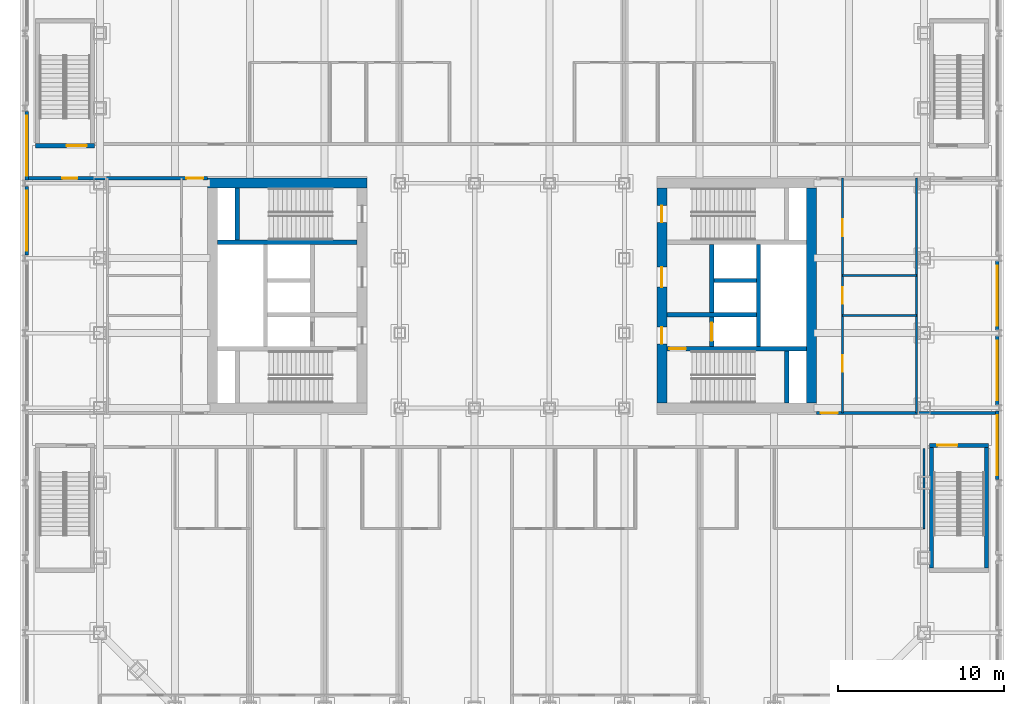
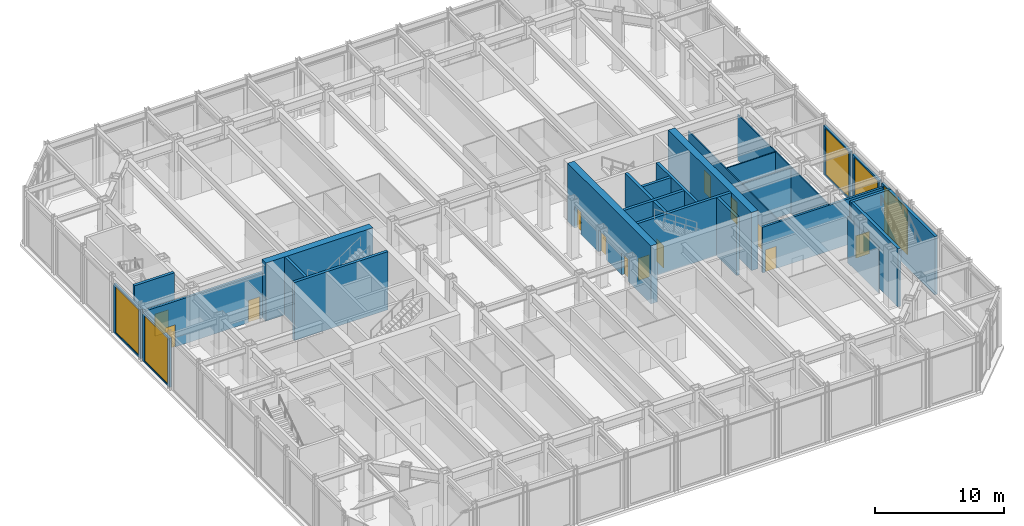
# One storey, part 13 of 19: 27 walls, 13 doors, 5 windows, 18 openings.
"""IFC4 building model written with IfcOpenShell, lengths in metres."""

import ifcopenshell
import ifcopenshell.guid

model = None  # the IFC model being written
_history = None  # IfcOwnerHistory: only IFC2X3 demands one
_inside = {}  # id of a spatial element -> (the spatial element, [elements in it])
_under = {}  # id of a project, library or spatial element -> (it, [spatial elements below it])
_declared = {}  # id of a project -> (the project, [libraries it declares])
_typed = {}  # id of a type object -> (the type object, [elements of that type])
_made_of = {}  # id of a material, layer set ... -> (it, [elements and type objects made of it])


def new_model(schema):
    """Start an empty IFC model of exactly this schema.

    Asked for "IFC4X3", IfcOpenShell would pick the latest addendum, in which some entities
    have other attributes; the version numbers below select the first issue.
    IFC2X3 requires an IfcOwnerHistory on every rooted entity: one is made here for all.
    """
    global model, _history
    if schema == "IFC4X3":
        model = ifcopenshell.file(schema_version=(4, 3, 0, 0))
    else:
        model = ifcopenshell.file(schema=schema)
    _inside.clear()
    _under.clear()
    _declared.clear()
    _typed.clear()
    _made_of.clear()
    _history = None
    if model.schema == "IFC2X3":
        org = make("IfcOrganization", Name="unknown")
        user = make(
            "IfcPersonAndOrganization",
            ThePerson=make("IfcPerson", FamilyName="unknown"),
            TheOrganization=org,
        )
        app = make(
            "IfcApplication",
            ApplicationDeveloper=org,
            Version="unknown",
            ApplicationFullName="unknown",
            ApplicationIdentifier="unknown",
        )
        _history = make(
            "IfcOwnerHistory",
            OwningUser=user,
            OwningApplication=app,
            ChangeAction="ADDED",
            CreationDate=0,
        )
    return model


def make(cls, **values):
    """One entity of the class cls with the attributes given. An attribute that is None is left unset."""
    return model.create_entity(
        cls, **{name: value for name, value in values.items() if value is not None}
    )


def rooted(cls, **values):
    """An entity with a GlobalId (a new one), such as an element, a storey or a relation."""
    return make(cls, GlobalId=ifcopenshell.guid.new(), OwnerHistory=_history, **values)


def si_unit(unit_type, name, prefix=None):
    """IfcSIUnit, for example si_unit("LENGTHUNIT", "METRE", prefix="MILLI")."""
    return make("IfcSIUnit", UnitType=unit_type, Prefix=prefix, Name=name)


def assignment(units):
    """IfcUnitAssignment: the units of a project."""
    return None if units is None else make("IfcUnitAssignment", Units=units)


def point(xyz):
    """IfcCartesianPoint."""
    return None if xyz is None else make("IfcCartesianPoint", Coordinates=xyz)


def direction(xyz):
    """IfcDirection."""
    return None if xyz is None else make("IfcDirection", DirectionRatios=xyz)


def frame(location, z_axis=None, x_axis=None):
    """IfcAxis2Placement3D, a coordinate frame: its origin and axes. An axis left out is left unset."""
    return make(
        "IfcAxis2Placement3D",
        Location=point(location),
        Axis=direction(z_axis),
        RefDirection=direction(x_axis),
    )


def frame_2d(location, x_axis=None):
    """IfcAxis2Placement2D, a coordinate frame in the plane: its origin and x axis."""
    return make(
        "IfcAxis2Placement2D", Location=point(location), RefDirection=direction(x_axis)
    )


def origin():
    """The frame at (0, 0, 0) with its axes left unset."""
    return frame((0.0, 0.0, 0.0))


def place(relative_to, where):
    """IfcLocalPlacement: puts the frame where relative to a parent placement (None: the world)."""
    return make(
        "IfcLocalPlacement", PlacementRelTo=relative_to, RelativePlacement=where
    )


def context(
    kind, dimensions, precision=None, world=None, true_north=None, identifier=None
):
    """IfcGeometricRepresentationContext, for example the 3D "Model" context."""
    return make(
        "IfcGeometricRepresentationContext",
        ContextIdentifier=identifier,
        ContextType=kind,
        CoordinateSpaceDimension=dimensions,
        Precision=precision,
        WorldCoordinateSystem=world,
        TrueNorth=true_north,
    )


def subcontext(parent, identifier, kind, view, scale=None):
    """IfcGeometricRepresentationSubContext, for example "Body" below "Model"."""
    return make(
        "IfcGeometricRepresentationSubContext",
        ContextIdentifier=identifier,
        ContextType=kind,
        ParentContext=parent,
        TargetScale=scale,
        TargetView=view,
    )


def project(units=None, contexts=None):
    """IfcProject with its units and contexts."""
    return rooted(
        "IfcProject",
        Name="project",
        RepresentationContexts=contexts,
        UnitsInContext=assignment(units),
    )


def spatial(cls, under=None, at=None, **own):
    """A site, building, storey or space (cls), placed at a placement, below another one or the project."""
    s = rooted(cls, ObjectPlacement=at, **own)
    if under is not None:
        _under.setdefault(under.id(), (under, []))[1].append(s)
    return s


def profile(cls, at=None, kind="AREA", **sizes):
    """A parametric profile (cls). Its sizes go by their IFC names, for example OverallWidth=200.0."""
    return make(cls, ProfileType=kind, Position=at, **sizes)


def rectangle(**sizes):
    """IfcRectangleProfileDef."""
    return profile("IfcRectangleProfileDef", **sizes)


def extrude(swept, where, along, depth):
    """IfcExtrudedAreaSolid: the profile swept, set in the frame where, extruded along a direction by depth."""
    return make(
        "IfcExtrudedAreaSolid",
        SweptArea=swept,
        Position=where,
        ExtrudedDirection=direction(along),
        Depth=depth,
    )


def shape(context_of_items, identifier, shape_type, items):
    """IfcShapeRepresentation: the items that make up one representation, for example the "Body"."""
    return make(
        "IfcShapeRepresentation",
        ContextOfItems=context_of_items,
        RepresentationIdentifier=identifier,
        RepresentationType=shape_type,
        Items=items,
    )


def material(Name=None, Category=None):
    """IfcMaterial."""
    return make("IfcMaterial", Name=Name, Category=Category)


def layer(
    of_material, thickness, ventilated=None, Name=None, Category=None, Priority=None
):
    """IfcMaterialLayer: one layer of a wall or slab, of a material (None: an air gap)."""
    return make(
        "IfcMaterialLayer",
        Material=of_material,
        LayerThickness=thickness,
        IsVentilated=ventilated,
        Name=Name,
        Category=Category,
        Priority=Priority,
    )


def layer_set(layers, Name=None):
    """IfcMaterialLayerSet."""
    return make("IfcMaterialLayerSet", MaterialLayers=layers, LayerSetName=Name)


def made_of(thing, what):
    """Note that an element or type object is made of a material, layer set ...; save() writes the relation."""
    if what is not None:
        _made_of.setdefault(what.id(), (what, []))[1].append(thing)
    return thing


def type_object(cls, material=None, **own):
    """A type object (cls), such as IfcWallType, which elements share."""
    return made_of(rooted(cls, **own), material)


def element(
    cls,
    number,
    at=None,
    inside=None,
    cuts=None,
    type_object=None,
    material=None,
    context=None,
    identifier="Body",
    shape_type=None,
    held_by="IfcProductDefinitionShape",
    body=None,
    shapes=None,
    **own,
):
    """One element of the class cls, such as IfcWall. Its Tag is "e" and its number.

    at: its placement. inside: the storey or other place that contains it. cuts: it is an
    opening in that element (IfcRelVoidsElement). A single representation is given by context,
    identifier, shape_type and body (its items); several are given by shapes. held_by: the class
    of the entity that holds the representations. save() writes the other relations.
    """
    e = rooted(cls, Tag="e%d" % number, ObjectPlacement=at, **own)
    if body is not None:
        shapes = [shape(context, identifier, shape_type, body)]
    if shapes is not None:
        e.Representation = make(held_by, Representations=shapes)
    if inside is not None:
        _inside.setdefault(inside.id(), (inside, []))[1].append(e)
    if cuts is not None:
        rooted(
            "IfcRelVoidsElement", RelatingBuildingElement=cuts, RelatedOpeningElement=e
        )
    if type_object is not None:
        _typed.setdefault(type_object.id(), (type_object, []))[1].append(e)
    return made_of(e, material)


def fill(opening, filler):
    """IfcRelFillsElement: the door or window that sits in an opening."""
    return rooted(
        "IfcRelFillsElement",
        RelatingOpeningElement=opening,
        RelatedBuildingElement=filler,
    )


def aggregate(whole, parts):
    """IfcRelAggregates: a whole, such as a stair, and the parts it consists of."""
    return rooted("IfcRelAggregates", RelatingObject=whole, RelatedObjects=parts)


def save(model, path):
    """Write the relations noted so far, then the file.

    IfcRelAggregates (storeys below a building ...), IfcRelContainedInSpatialStructure (elements
    in a storey), IfcRelDefinesByType, IfcRelAssociatesMaterial and IfcRelDeclares: one each for
    every whole, place, type object, material and project.
    """
    for whole, parts in _under.values():
        aggregate(whole, parts)
    for where, things in _inside.values():
        rooted(
            "IfcRelContainedInSpatialStructure",
            RelatedElements=things,
            RelatingStructure=where,
        )
    for kind, things in _typed.values():
        rooted("IfcRelDefinesByType", RelatedObjects=things, RelatingType=kind)
    for what, things in _made_of.values():
        rooted("IfcRelAssociatesMaterial", RelatedObjects=things, RelatingMaterial=what)
    for by, libraries in _declared.values():
        rooted("IfcRelDeclares", RelatingContext=by, RelatedDefinitions=libraries)
    model.write(path)


model = new_model("IFC4")

# Units and contexts
model_context = context("Model", 3, precision=1e-05, world=origin(), true_north=direction((0.0, 1.0)))
body_context = subcontext(model_context, "Body", "Model", "MODEL_VIEW")
ifc_project = project(units=[si_unit("LENGTHUNIT", "METRE"), si_unit("AREAUNIT", "SQUARE_METRE"), si_unit("VOLUMEUNIT", "CUBIC_METRE"), si_unit("PLANEANGLEUNIT", "RADIAN"), si_unit("MASSUNIT", "GRAM", prefix="KILO")], contexts=[model_context])

# Site, building, storey
site_placement = place(None, origin())
site = spatial("IfcSite", under=ifc_project, at=site_placement, CompositionType="ELEMENT")
building_placement = place(site_placement, origin())
building = spatial("IfcBuilding", under=site, at=building_placement, Name="Msasa Ring Tower", CompositionType="ELEMENT")
storey_placement = place(building_placement, frame((0.0, 0.0, 16.0)))
storey = spatial("IfcBuildingStorey", under=building, at=storey_placement, Name="L03", CompositionType="ELEMENT", Elevation=16.0)

# Wall, openings, doors
ifc_material_1 = material(Name="Concrete C60/75", Category="concrete")
ifc_layer_1 = layer(ifc_material_1, 0.60009765625)
ifc_layer_set_1 = layer_set([ifc_layer_1], Name="CW1 CORE WALL 600")
wall_type_1 = type_object("IfcWallType", Name="CW1 CORE WALL 600", PredefinedType="SHEAR", material=ifc_layer_set_1)
wall_1_placement = place(storey_placement, frame((9.0, -6.449951171875, 0.0), z_axis=(0.0, 0.0, 1.0), x_axis=(0.0, 1.0, 0.0)))
wall_1 = element("IfcWall", 1, at=wall_1_placement, inside=storey, type_object=wall_type_1, Name="E core wall W L03", PredefinedType="SHEAR", context=body_context, shape_type="SweptSolid", body=[
    extrude(rectangle(XDim=12.89990234375, YDim=0.60009765625, at=frame_2d((6.449951171875, 0.0))), origin(), (0.0, 0.0, 1.0), 5.5),
])
opening_1_placement = place(wall_1_placement, frame((3.550048828125, 0.0, 0.0)))
opening_1 = element("IfcOpeningElement", 2, at=opening_1_placement, cuts=wall_1, Name="Opening L03-031", PredefinedType="OPENING", context=body_context, shape_type="SweptSolid", body=[
    extrude(rectangle(XDim=1.0, YDim=2.10009765625, at=frame_2d((0.5, 1.050048828125))), frame((0.0, 0.31005859375, 0.0), z_axis=(0.0, -1.0, 0.0), x_axis=(1.0, 0.0, 0.0)), (0.0, 0.0, 1.0), 0.6201171875),
])
opening_2_placement = place(wall_1_placement, frame((6.949951171875, 0.0, 0.0)))
opening_2 = element("IfcOpeningElement", 3, at=opening_2_placement, cuts=wall_1, Name="Opening L03-027", PredefinedType="OPENING", context=body_context, shape_type="SweptSolid", body=[
    extrude(rectangle(XDim=1.199951171875, YDim=2.10009765625, at=frame_2d((0.60009765625, 1.050048828125))), frame((0.0, 0.31005859375, 0.0), z_axis=(0.0, -1.0, 0.0), x_axis=(1.0, 0.0, 0.0)), (0.0, 0.0, 1.0), 0.6201171875),
])
opening_3_placement = place(wall_1_placement, frame((10.85009765625, 0.0, 0.0)))
opening_3 = element("IfcOpeningElement", 4, at=opening_3_placement, cuts=wall_1, Name="Opening L03-023", PredefinedType="OPENING", context=body_context, shape_type="SweptSolid", body=[
    extrude(rectangle(XDim=1.0, YDim=2.10009765625, at=frame_2d((0.5, 1.050048828125))), frame((0.0, 0.31005859375, 0.0), z_axis=(0.0, -1.0, 0.0), x_axis=(1.0, 0.0, 0.0)), (0.0, 0.0, 1.0), 0.6201171875),
])
ifc_material_2 = material(Name="Timber door leaf in a steel frame", Category="steel")
door_type_1 = type_object("IfcDoorType", Name="D4 LOBBY DOOR 1000x2100", OperationType="SINGLE_SWING_LEFT", PredefinedType="DOOR", material=ifc_material_2)
door_1_placement = place(opening_1_placement, origin())
door_1 = element("IfcDoor", 5, at=door_1_placement, inside=storey, type_object=door_type_1, Name="Door L03-EFFL", OperationType="SINGLE_SWING_LEFT", OverallHeight=2.10009765625, OverallWidth=1.0, PredefinedType="DOOR", context=body_context, shape_type="SweptSolid", body=[
    extrude(rectangle(XDim=1.0, YDim=2.10009765625, at=frame_2d((0.5, 1.050048828125))), frame((0.0, 0.02490234375, 0.0), z_axis=(0.0, -1.0, 0.0), x_axis=(1.0, 0.0, 0.0)), (0.0, 0.0, 1.0), 0.050048828125),
])
fill(opening_1, door_1)
ifc_material_3 = material(Name="Timber door leaf in a steel frame", Category="steel")
door_type_2 = type_object("IfcDoorType", Name="D5 WIDE LOBBY DOOR 1200x2100", OperationType="SINGLE_SWING_LEFT", PredefinedType="DOOR", material=ifc_material_3)
door_2_placement = place(opening_2_placement, origin())
door_2 = element("IfcDoor", 6, at=door_2_placement, inside=storey, type_object=door_type_2, Name="Door L03-ELL", OperationType="SINGLE_SWING_RIGHT", OverallHeight=2.10009765625, OverallWidth=1.199951171875, PredefinedType="DOOR", context=body_context, shape_type="SweptSolid", body=[
    extrude(rectangle(XDim=1.199951171875, YDim=2.10009765625, at=frame_2d((0.60009765625, 1.050048828125))), frame((0.0, 0.02490234375, 0.0), z_axis=(0.0, -1.0, 0.0), x_axis=(1.0, 0.0, 0.0)), (0.0, 0.0, 1.0), 0.050048828125),
])
fill(opening_2, door_2)
ifc_material_4 = material(Name="Timber door leaf in a steel frame", Category="steel")
door_type_3 = type_object("IfcDoorType", Name="D6 STAIR DOOR 1000x2100", OperationType="SINGLE_SWING_LEFT", PredefinedType="DOOR", material=ifc_material_4)
door_3_placement = place(opening_3_placement, origin())
door_3 = element("IfcDoor", 7, at=door_3_placement, inside=storey, type_object=door_type_3, Name="Door L03-ESTB", OperationType="SINGLE_SWING_RIGHT", OverallHeight=2.10009765625, OverallWidth=1.0, PredefinedType="DOOR", context=body_context, shape_type="SweptSolid", body=[
    extrude(rectangle(XDim=1.0, YDim=2.10009765625, at=frame_2d((0.5, 1.050048828125))), frame((0.0, 0.02490234375, 0.0), z_axis=(0.0, -1.0, 0.0), x_axis=(1.0, 0.0, 0.0)), (0.0, 0.0, 1.0), 0.050048828125),
])
fill(opening_3, door_3)

# Walls
wall_2_placement = place(storey_placement, frame((18.0, -6.449951171875, 0.0), z_axis=(0.0, 0.0, 1.0), x_axis=(0.0, 1.0, 0.0)))
element("IfcWall", 8, at=wall_2_placement, inside=storey, type_object=wall_type_1, Name="E core wall E L03", PredefinedType="SHEAR", context=body_context, shape_type="SweptSolid", body=[
    extrude(rectangle(XDim=12.89990234375, YDim=0.60009765625, at=frame_2d((6.449951171875, 0.0))), origin(), (0.0, 0.0, 1.0), 5.5),
])
wall_3_placement = place(storey_placement, frame((-8.699951171875, 6.75, 0.0), z_axis=(0.0, 0.0, 1.0), x_axis=(-1.0, 0.0, 0.0)))
element("IfcWall", 9, at=wall_3_placement, inside=storey, type_object=wall_type_1, Name="W core wall N L03", PredefinedType="SHEAR", context=body_context, shape_type="SweptSolid", body=[
    extrude(rectangle(XDim=9.60009765625, YDim=0.60009765625, at=frame_2d((4.800048828125, 0.0))), origin(), (0.0, 0.0, 1.0), 5.5),
])

# Wall, opening, door
ifc_material_5 = material(Name="Concrete C60/75", Category="concrete")
ifc_layer_2 = layer(ifc_material_5, 0.25)
ifc_layer_set_2 = layer_set([ifc_layer_2], Name="CW4 CORE INNER WALL 250")
wall_type_2 = type_object("IfcWallType", Name="CW4 CORE INNER WALL 250", PredefinedType="SHEAR", material=ifc_layer_set_2)
wall_4_placement = place(storey_placement, frame((9.300048828125, -3.199951171875, 0.0), z_axis=(0.0, 0.0, 1.0), x_axis=(1.0, 0.0, 0.0)))
wall_4 = element("IfcWall", 10, at=wall_4_placement, inside=storey, type_object=wall_type_2, Name="E core wall STAIRA L03", PredefinedType="SHEAR", context=body_context, shape_type="SweptSolid", body=[
    extrude(rectangle(XDim=8.39990234375, YDim=0.25, at=frame_2d((4.199951171875, 0.0))), origin(), (0.0, 0.0, 1.0), 5.5),
])
opening_4_placement = place(wall_4_placement, frame((0.14990234375, 0.0, 0.0)))
opening_4 = element("IfcOpeningElement", 11, at=opening_4_placement, cuts=wall_4, Name="Opening L03-033", PredefinedType="OPENING", context=body_context, shape_type="SweptSolid", body=[
    extrude(rectangle(XDim=1.0, YDim=2.10009765625, at=frame_2d((0.5, 1.050048828125))), frame((0.0, 0.135009765625, 0.0), z_axis=(0.0, -1.0, 0.0), x_axis=(1.0, 0.0, 0.0)), (0.0, 0.0, 1.0), 0.27001953125),
])
door_4_placement = place(opening_4_placement, origin())
door_4 = element("IfcDoor", 12, at=door_4_placement, inside=storey, type_object=door_type_3, Name="Door L03-ESTA", OperationType="SINGLE_SWING_LEFT", OverallHeight=2.10009765625, OverallWidth=1.0, PredefinedType="DOOR", context=body_context, shape_type="SweptSolid", body=[
    extrude(rectangle(XDim=1.0, YDim=2.10009765625, at=frame_2d((0.5, 1.050048828125))), frame((0.0, 0.02490234375, 0.0), z_axis=(0.0, -1.0, 0.0), x_axis=(1.0, 0.0, 0.0)), (0.0, 0.0, 1.0), 0.050048828125),
])
fill(opening_4, door_4)

# Walls
wall_5_placement = place(storey_placement, frame((16.5, -6.449951171875, 0.0), z_axis=(0.0, 0.0, 1.0), x_axis=(0.0, 1.0, 0.0)))
element("IfcWall", 13, at=wall_5_placement, inside=storey, type_object=wall_type_2, Name="E core wall RISERA L03", PredefinedType="SHEAR", context=body_context, shape_type="SweptSolid", body=[
    extrude(rectangle(XDim=3.125, YDim=0.25, at=frame_2d((1.5625, 0.0))), origin(), (0.0, 0.0, 1.0), 5.5),
])
wall_6_placement = place(storey_placement, frame((9.300048828125, -1.14990234375, 0.0), z_axis=(0.0, 0.0, 1.0), x_axis=(1.0, 0.0, 0.0)))
element("IfcWall", 14, at=wall_6_placement, inside=storey, type_object=wall_type_2, Name="E core wall FFL L03", PredefinedType="SHEAR", context=body_context, shape_type="SweptSolid", body=[
    extrude(rectangle(XDim=5.375, YDim=0.25, at=frame_2d((2.6875, 0.0))), origin(), (0.0, 0.0, 1.0), 5.5),
])

# Wall, opening, door
wall_7_placement = place(storey_placement, frame((12.0, -3.074951171875, 0.0), z_axis=(0.0, 0.0, 1.0), x_axis=(0.0, 1.0, 0.0)))
wall_7 = element("IfcWall", 15, at=wall_7_placement, inside=storey, type_object=wall_type_2, Name="E core wall LOBBY L03", PredefinedType="SHEAR", context=body_context, shape_type="SweptSolid", body=[
    extrude(rectangle(XDim=6.14990234375, YDim=0.25, at=frame_2d((3.074951171875, 0.0))), origin(), (0.0, 0.0, 1.0), 5.5),
])
opening_5_placement = place(wall_7_placement, frame((0.35009765625, 0.0, 0.0)))
opening_5 = element("IfcOpeningElement", 16, at=opening_5_placement, cuts=wall_7, Name="Opening LD1", PredefinedType="OPENING", context=body_context, shape_type="SweptSolid", body=[
    extrude(rectangle(XDim=1.10009765625, YDim=2.10009765625, at=frame_2d((0.550048828125, 1.050048828125))), frame((0.0, 0.135009765625, 0.0), z_axis=(0.0, -1.0, 0.0), x_axis=(1.0, 0.0, 0.0)), (0.0, 0.0, 1.0), 0.27001953125),
])
ifc_material_6 = material(Name="Stainless steel lift landing door", Category="steel")
door_type_4 = type_object("IfcDoorType", Name="LD1 LIFT LANDING DOOR 1100x2100", OperationType="DOUBLE_DOOR_SLIDING", PredefinedType="DOOR", material=ifc_material_6)
door_5_placement = place(opening_5_placement, origin())
door_5 = element("IfcDoor", 17, at=door_5_placement, inside=storey, type_object=door_type_4, Name="Lift landing door FL-E L03", OperationType="DOUBLE_DOOR_SLIDING", OverallHeight=2.10009765625, OverallWidth=1.10009765625, PredefinedType="DOOR", context=body_context, shape_type="SweptSolid", body=[
    extrude(rectangle(XDim=1.10009765625, YDim=2.10009765625, at=frame_2d((0.550048828125, 1.050048828125))), frame((0.0, 0.02490234375, 0.0), z_axis=(0.0, -1.0, 0.0), x_axis=(1.0, 0.0, 0.0)), (0.0, 0.0, 1.0), 0.050048828125),
])
fill(opening_5, door_5)

# Walls
wall_8_placement = place(storey_placement, frame((14.800048828125, -3.074951171875, 0.0), z_axis=(0.0, 0.0, 1.0), x_axis=(0.0, 1.0, 0.0)))
element("IfcWall", 18, at=wall_8_placement, inside=storey, type_object=wall_type_2, Name="E core wall SHAFT L03", PredefinedType="SHEAR", context=body_context, shape_type="SweptSolid", body=[
    extrude(rectangle(XDim=6.14990234375, YDim=0.25, at=frame_2d((3.074951171875, 0.0))), origin(), (0.0, 0.0, 1.0), 5.5),
])
wall_9_placement = place(storey_placement, frame((12.125, 0.89990234375, 0.0), z_axis=(0.0, 0.0, 1.0), x_axis=(1.0, 0.0, 0.0)))
element("IfcWall", 19, at=wall_9_placement, inside=storey, type_object=wall_type_2, Name="E core wall LIFT1 L03", PredefinedType="SHEAR", context=body_context, shape_type="SweptSolid", body=[
    extrude(rectangle(XDim=2.550048828125, YDim=0.25, at=frame_2d((1.27490234375, 0.0))), origin(), (0.0, 0.0, 1.0), 5.5),
])
wall_10_placement = place(storey_placement, frame((-9.300048828125, 3.199951171875, 0.0), z_axis=(0.0, 0.0, 1.0), x_axis=(-1.0, 0.0, 0.0)))
element("IfcWall", 20, at=wall_10_placement, inside=storey, type_object=wall_type_2, Name="W core wall STAIRB L03", PredefinedType="SHEAR", context=body_context, shape_type="SweptSolid", body=[
    extrude(rectangle(XDim=8.39990234375, YDim=0.25, at=frame_2d((4.199951171875, 0.0))), origin(), (0.0, 0.0, 1.0), 5.5),
])
wall_11_placement = place(storey_placement, frame((-16.5, 3.324951171875, 0.0), z_axis=(0.0, 0.0, 1.0), x_axis=(0.0, 1.0, 0.0)))
element("IfcWall", 21, at=wall_11_placement, inside=storey, type_object=wall_type_2, Name="W core wall RISERB L03", PredefinedType="SHEAR", context=body_context, shape_type="SweptSolid", body=[
    extrude(rectangle(XDim=3.125, YDim=0.25, at=frame_2d((1.5625, 0.0))), origin(), (0.0, 0.0, 1.0), 5.5),
])

# Wall, opening, window
ifc_material_7 = material(Name="Terracotta rainscreen on blockwork", Category="masonry")
ifc_layer_3 = layer(ifc_material_7, 0.199951171875)
ifc_layer_set_3 = layer_set([ifc_layer_3], Name="FW2 TERRACOTTA PODIUM BAY WALL 200")
wall_type_3 = type_object("IfcWallType", Name="FW2 TERRACOTTA PODIUM BAY WALL 200", PredefinedType="SOLIDWALL", material=ifc_layer_set_3)
wall_12_placement = place(storey_placement, frame((29.14990234375, -11.0625, 0.0), z_axis=(0.0, 0.0, 1.0), x_axis=(0.0, 1.0, 0.0)))
wall_12 = element("IfcWall", 22, at=wall_12_placement, inside=storey, type_object=wall_type_3, Name="Podium bay wall E L03 16", PredefinedType="SOLIDWALL", context=body_context, shape_type="SweptSolid", body=[
    extrude(rectangle(XDim=4.125, YDim=0.199951171875, at=frame_2d((2.0625, 0.0))), origin(), (0.0, 0.0, 1.0), 4.6328125),
])
opening_6_placement = place(wall_12_placement, frame((0.262451171875, 0.0, 0.14990234375)))
opening_6 = element("IfcOpeningElement", 23, at=opening_6_placement, cuts=wall_12, Name="Opening SF4", PredefinedType="OPENING", context=body_context, shape_type="SweptSolid", body=[
    extrude(rectangle(XDim=3.60009765625, YDim=4.3330078125, at=frame_2d((1.800048828125, 2.16650390625))), frame((0.0, 0.10986328125, 0.0), z_axis=(0.0, -1.0, 0.0), x_axis=(1.0, 0.0, 0.0)), (0.0, 0.0, 1.0), 0.219970703125),
])
ifc_material_8 = material(Name="Aluminium frame with clear glass", Category="aluminium")
window_type = type_object("IfcWindowType", Name="SF4 SHOPFRONT GLAZING 3600x4333", PartitioningType="SINGLE_PANEL", PredefinedType="WINDOW", material=ifc_material_8)
window_1_placement = place(opening_6_placement, origin())
window_1 = element("IfcWindow", 24, at=window_1_placement, inside=storey, type_object=window_type, Name="Shopfront glazing E L03 16", OverallHeight=4.3330078125, OverallWidth=3.60009765625, PartitioningType="SINGLE_PANEL", PredefinedType="WINDOW", context=body_context, shape_type="SweptSolid", body=[
    extrude(rectangle(XDim=3.60009765625, YDim=4.3330078125, at=frame_2d((1.800048828125, 2.16650390625))), frame((0.0, 0.030029296875, 0.0), z_axis=(0.0, -1.0, 0.0), x_axis=(1.0, 0.0, 0.0)), (0.0, 0.0, 1.0), 0.06005859375),
])
fill(opening_6, window_1)

wall_13_placement = place(storey_placement, frame((29.14990234375, -6.5625, 0.0), z_axis=(0.0, 0.0, 1.0), x_axis=(0.0, 1.0, 0.0)))
wall_13 = element("IfcWall", 25, at=wall_13_placement, inside=storey, type_object=wall_type_3, Name="Podium bay wall E L03 17", PredefinedType="SOLIDWALL", context=body_context, shape_type="SweptSolid", body=[
    extrude(rectangle(XDim=4.124755859375, YDim=0.199951171875, at=frame_2d((2.0625, 0.0))), origin(), (0.0, 0.0, 1.0), 4.6328125),
])
opening_7_placement = place(wall_13_placement, frame((0.262451171875, 0.0, 0.14990234375)))
opening_7 = element("IfcOpeningElement", 26, at=opening_7_placement, cuts=wall_13, Name="Opening SF4", PredefinedType="OPENING", context=body_context, shape_type="SweptSolid", body=[
    extrude(rectangle(XDim=3.60009765625, YDim=4.3330078125, at=frame_2d((1.800048828125, 2.16650390625))), frame((0.0, 0.10986328125, 0.0), z_axis=(0.0, -1.0, 0.0), x_axis=(1.0, 0.0, 0.0)), (0.0, 0.0, 1.0), 0.219970703125),
])
window_2_placement = place(opening_7_placement, origin())
window_2 = element("IfcWindow", 27, at=window_2_placement, inside=storey, type_object=window_type, Name="Shopfront glazing E L03 17", OverallHeight=4.3330078125, OverallWidth=3.60009765625, PartitioningType="SINGLE_PANEL", PredefinedType="WINDOW", context=body_context, shape_type="SweptSolid", body=[
    extrude(rectangle(XDim=3.60009765625, YDim=4.3330078125, at=frame_2d((1.800048828125, 2.16650390625))), frame((0.0, 0.030029296875, 0.0), z_axis=(0.0, -1.0, 0.0), x_axis=(1.0, 0.0, 0.0)), (0.0, 0.0, 1.0), 0.06005859375),
])
fill(opening_7, window_2)

wall_14_placement = place(storey_placement, frame((29.14990234375, -2.062255859375, 0.0), z_axis=(0.0, 0.0, 1.0), x_axis=(0.0, 1.0, 0.0)))
wall_14 = element("IfcWall", 28, at=wall_14_placement, inside=storey, type_object=wall_type_3, Name="Podium bay wall E L03 18", PredefinedType="SOLIDWALL", context=body_context, shape_type="SweptSolid", body=[
    extrude(rectangle(XDim=4.12451171875, YDim=0.199951171875, at=frame_2d((2.062255859375, 0.0))), origin(), (0.0, 0.0, 1.0), 4.6328125),
])
opening_8_placement = place(wall_14_placement, frame((0.26220703125, 0.0, 0.14990234375)))
opening_8 = element("IfcOpeningElement", 29, at=opening_8_placement, cuts=wall_14, Name="Opening SF4", PredefinedType="OPENING", context=body_context, shape_type="SweptSolid", body=[
    extrude(rectangle(XDim=3.60009765625, YDim=4.3330078125, at=frame_2d((1.800048828125, 2.16650390625))), frame((0.0, 0.10986328125, 0.0), z_axis=(0.0, -1.0, 0.0), x_axis=(1.0, 0.0, 0.0)), (0.0, 0.0, 1.0), 0.219970703125),
])
window_3_placement = place(opening_8_placement, origin())
window_3 = element("IfcWindow", 30, at=window_3_placement, inside=storey, type_object=window_type, Name="Shopfront glazing E L03 18", OverallHeight=4.3330078125, OverallWidth=3.60009765625, PartitioningType="SINGLE_PANEL", PredefinedType="WINDOW", context=body_context, shape_type="SweptSolid", body=[
    extrude(rectangle(XDim=3.60009765625, YDim=4.3330078125, at=frame_2d((1.800048828125, 2.16650390625))), frame((0.0, 0.030029296875, 0.0), z_axis=(0.0, -1.0, 0.0), x_axis=(1.0, 0.0, 0.0)), (0.0, 0.0, 1.0), 0.06005859375),
])
fill(opening_8, window_3)

wall_15_placement = place(storey_placement, frame((-29.14990234375, 2.437744140625, 0.0), z_axis=(0.0, 0.0, 1.0), x_axis=(0.0, 1.0, 0.0)))
wall_15 = element("IfcWall", 31, at=wall_15_placement, inside=storey, type_object=wall_type_3, Name="Podium bay wall W L03 45", PredefinedType="SOLIDWALL", context=body_context, shape_type="SweptSolid", body=[
    extrude(rectangle(XDim=4.124755859375, YDim=0.199951171875, at=frame_2d((2.0625, 0.0))), origin(), (0.0, 0.0, 1.0), 4.6328125),
])
opening_9_placement = place(wall_15_placement, frame((0.26220703125, 0.0, 0.14990234375)))
opening_9 = element("IfcOpeningElement", 32, at=opening_9_placement, cuts=wall_15, Name="Opening SF4", PredefinedType="OPENING", context=body_context, shape_type="SweptSolid", body=[
    extrude(rectangle(XDim=3.60009765625, YDim=4.3330078125, at=frame_2d((1.800048828125, 2.16650390625))), frame((0.0, 0.10986328125, 0.0), z_axis=(0.0, -1.0, 0.0), x_axis=(1.0, 0.0, 0.0)), (0.0, 0.0, 1.0), 0.219970703125),
])
window_4_placement = place(opening_9_placement, origin())
window_4 = element("IfcWindow", 33, at=window_4_placement, inside=storey, type_object=window_type, Name="Shopfront glazing W L03 45", OverallHeight=4.3330078125, OverallWidth=3.60009765625, PartitioningType="SINGLE_PANEL", PredefinedType="WINDOW", context=body_context, shape_type="SweptSolid", body=[
    extrude(rectangle(XDim=3.60009765625, YDim=4.3330078125, at=frame_2d((1.800048828125, 2.16650390625))), frame((0.0, 0.030029296875, 0.0), z_axis=(0.0, -1.0, 0.0), x_axis=(1.0, 0.0, 0.0)), (0.0, 0.0, 1.0), 0.06005859375),
])
fill(opening_9, window_4)

wall_16_placement = place(storey_placement, frame((-29.14990234375, 6.9375, 0.0), z_axis=(0.0, 0.0, 1.0), x_axis=(0.0, 1.0, 0.0)))
wall_16 = element("IfcWall", 34, at=wall_16_placement, inside=storey, type_object=wall_type_3, Name="Podium bay wall W L03 46", PredefinedType="SOLIDWALL", context=body_context, shape_type="SweptSolid", body=[
    extrude(rectangle(XDim=4.125, YDim=0.199951171875, at=frame_2d((2.0625, 0.0))), origin(), (0.0, 0.0, 1.0), 4.6328125),
])
opening_10_placement = place(wall_16_placement, frame((0.262451171875, 0.0, 0.14990234375)))
opening_10 = element("IfcOpeningElement", 35, at=opening_10_placement, cuts=wall_16, Name="Opening SF4", PredefinedType="OPENING", context=body_context, shape_type="SweptSolid", body=[
    extrude(rectangle(XDim=3.60009765625, YDim=4.3330078125, at=frame_2d((1.800048828125, 2.16650390625))), frame((0.0, 0.10986328125, 0.0), z_axis=(0.0, -1.0, 0.0), x_axis=(1.0, 0.0, 0.0)), (0.0, 0.0, 1.0), 0.219970703125),
])
window_5_placement = place(opening_10_placement, origin())
window_5 = element("IfcWindow", 36, at=window_5_placement, inside=storey, type_object=window_type, Name="Shopfront glazing W L03 46", OverallHeight=4.3330078125, OverallWidth=3.60009765625, PartitioningType="SINGLE_PANEL", PredefinedType="WINDOW", context=body_context, shape_type="SweptSolid", body=[
    extrude(rectangle(XDim=3.60009765625, YDim=4.3330078125, at=frame_2d((1.800048828125, 2.16650390625))), frame((0.0, 0.030029296875, 0.0), z_axis=(0.0, -1.0, 0.0), x_axis=(1.0, 0.0, 0.0)), (0.0, 0.0, 1.0), 0.06005859375),
])
fill(opening_10, window_5)

# Wall, opening, door
ifc_material_9 = material(Name="Concrete blockwork", Category="masonry")
ifc_layer_4 = layer(ifc_material_9, 0.199951171875)
ifc_layer_set_4 = layer_set([ifc_layer_4], Name="PT1 CORRIDOR WALL 200")
wall_type_4 = type_object("IfcWallType", Name="PT1 CORRIDOR WALL 200", PredefinedType="PARTITIONING", material=ifc_layer_set_4)
wall_17_placement = place(storey_placement, frame((18.300048828125, -7.050048828125, 0.0), z_axis=(0.0, 0.0, 1.0), x_axis=(1.0, 0.0, 0.0)))
wall_17 = element("IfcWall", 37, at=wall_17_placement, inside=storey, type_object=wall_type_4, Name="Corridor wall L03-STRES", PredefinedType="PARTITIONING", context=body_context, shape_type="SweptSolid", body=[
    extrude(rectangle(XDim=10.75, YDim=0.199951171875, at=frame_2d((5.375, 0.0))), origin(), (0.0, 0.0, 1.0), 4.3291015625),
])
opening_11_placement = place(wall_17_placement, frame((0.25, 0.0, 0.0)))
opening_11 = element("IfcOpeningElement", 38, at=opening_11_placement, cuts=wall_17, Name="Opening L03-037", PredefinedType="OPENING", context=body_context, shape_type="SweptSolid", body=[
    extrude(rectangle(XDim=1.0, YDim=2.10009765625, at=frame_2d((0.5, 1.050048828125))), frame((0.0, 0.10986328125, 0.0), z_axis=(0.0, -1.0, 0.0), x_axis=(1.0, 0.0, 0.0)), (0.0, 0.0, 1.0), 0.219970703125),
])
ifc_material_10 = material(Name="Timber door leaf in a steel frame", Category="steel")
door_type_5 = type_object("IfcDoorType", Name="D12 WC DOOR 1000x2100", OperationType="SINGLE_SWING_LEFT", PredefinedType="DOOR", material=ifc_material_10)
door_6_placement = place(opening_11_placement, origin())
door_6 = element("IfcDoor", 39, at=door_6_placement, inside=storey, type_object=door_type_5, Name="Door L03-WLES", OperationType="SINGLE_SWING_LEFT", OverallHeight=2.10009765625, OverallWidth=1.0, PredefinedType="DOOR", context=body_context, shape_type="SweptSolid", body=[
    extrude(rectangle(XDim=1.0, YDim=2.10009765625, at=frame_2d((0.5, 1.050048828125))), frame((0.0, 0.02490234375, 0.0), z_axis=(0.0, -1.0, 0.0), x_axis=(1.0, 0.0, 0.0)), (0.0, 0.0, 1.0), 0.050048828125),
])
fill(opening_11, door_6)

# Wall, openings, doors
wall_18_placement = place(storey_placement, frame((-29.050048828125, 7.050048828125, 0.0), z_axis=(0.0, 0.0, 1.0), x_axis=(1.0, 0.0, 0.0)))
wall_18 = element("IfcWall", 40, at=wall_18_placement, inside=storey, type_object=wall_type_4, Name="Corridor wall L03-STRWN", PredefinedType="PARTITIONING", context=body_context, shape_type="SweptSolid", body=[
    extrude(rectangle(XDim=10.75, YDim=0.199951171875, at=frame_2d((5.375, 0.0))), origin(), (0.0, 0.0, 1.0), 4.3291015625),
])
opening_12_placement = place(wall_18_placement, frame((2.052490234375, 0.0, 0.0)))
opening_12 = element("IfcOpeningElement", 41, at=opening_12_placement, cuts=wall_18, Name="Opening L03-018", PredefinedType="OPENING", context=body_context, shape_type="SweptSolid", body=[
    extrude(rectangle(XDim=0.89990234375, YDim=2.10009765625, at=frame_2d((0.449951171875, 1.050048828125))), frame((0.0, 0.10986328125, 0.0), z_axis=(0.0, -1.0, 0.0), x_axis=(1.0, 0.0, 0.0)), (0.0, 0.0, 1.0), 0.219970703125),
])
opening_13_placement = place(wall_18_placement, frame((9.5, 0.0, 0.0)))
opening_13 = element("IfcOpeningElement", 42, at=opening_13_placement, cuts=wall_18, Name="Opening L03-019", PredefinedType="OPENING", context=body_context, shape_type="SweptSolid", body=[
    extrude(rectangle(XDim=1.0, YDim=2.10009765625, at=frame_2d((0.5, 1.050048828125))), frame((0.0, 0.10986328125, 0.0), z_axis=(0.0, -1.0, 0.0), x_axis=(1.0, 0.0, 0.0)), (0.0, 0.0, 1.0), 0.219970703125),
])
ifc_material_11 = material(Name="Timber door leaf in a steel frame", Category="steel")
door_type_6 = type_object("IfcDoorType", Name="D1 SINGLE DOOR TO CORRIDOR 900x2100", OperationType="SINGLE_SWING_LEFT", PredefinedType="DOOR", material=ifc_material_11)
door_7_placement = place(opening_12_placement, origin())
door_7 = element("IfcDoor", 43, at=door_7_placement, inside=storey, type_object=door_type_6, Name="Door L03-WOW", OperationType="SINGLE_SWING_LEFT", OverallHeight=2.10009765625, OverallWidth=0.89990234375, PredefinedType="DOOR", context=body_context, shape_type="SweptSolid", body=[
    extrude(rectangle(XDim=0.89990234375, YDim=2.10009765625, at=frame_2d((0.449951171875, 1.050048828125))), frame((0.0, 0.02490234375, 0.0), z_axis=(0.0, -1.0, 0.0), x_axis=(1.0, 0.0, 0.0)), (0.0, 0.0, 1.0), 0.050048828125),
])
fill(opening_12, door_7)
door_8_placement = place(opening_13_placement, origin())
door_8 = element("IfcDoor", 44, at=door_8_placement, inside=storey, type_object=door_type_5, Name="Door L03-WLWN", OperationType="SINGLE_SWING_RIGHT", OverallHeight=2.10009765625, OverallWidth=1.0, PredefinedType="DOOR", context=body_context, shape_type="SweptSolid", body=[
    extrude(rectangle(XDim=1.0, YDim=2.10009765625, at=frame_2d((0.5, 1.050048828125))), frame((0.0, 0.02490234375, 0.0), z_axis=(0.0, -1.0, 0.0), x_axis=(1.0, 0.0, 0.0)), (0.0, 0.0, 1.0), 0.050048828125),
])
fill(opening_13, door_8)

# Wall
ifc_material_12 = material(Name="Gypsum board on steel studs", Category="steel")
ifc_layer_5 = layer(ifc_material_12, 0.10009765625)
ifc_layer_set_5 = layer_set([ifc_layer_5], Name="PT2 STUD PARTITION 100")
wall_type_5 = type_object("IfcWallType", Name="PT2 STUD PARTITION 100", PredefinedType="PARTITIONING", material=ifc_layer_set_5)
wall_19_placement = place(storey_placement, frame((24.75, -14.0, 0.0), z_axis=(0.0, 0.0, 1.0), x_axis=(0.0, 1.0, 0.0)))
element("IfcWall", 45, at=wall_19_placement, inside=storey, type_object=wall_type_5, Name="Partition L03-PDS5BX+24.75", PredefinedType="PARTITIONING", context=body_context, shape_type="SweptSolid", body=[
    extrude(rectangle(XDim=4.800048828125, YDim=0.10009765625, at=frame_2d((2.39990234375, 0.0))), origin(), (0.0, 0.0, 1.0), 4.3291015625),
])

# Wall, openings, doors
wall_20_placement = place(storey_placement, frame((19.85009765625, -7.050048828125, 0.0), z_axis=(0.0, 0.0, 1.0), x_axis=(0.0, 1.0, 0.0)))
wall_20 = element("IfcWall", 46, at=wall_20_placement, inside=storey, type_object=wall_type_5, Name="Partition L03-WCEL", PredefinedType="PARTITIONING", context=body_context, shape_type="SweptSolid", body=[
    extrude(rectangle(XDim=14.10009765625, YDim=0.10009765625, at=frame_2d((7.050048828125, 0.0))), origin(), (0.0, 0.0, 1.0), 4.3291015625),
])
opening_14_placement = place(wall_20_placement, frame((2.47509765625, 0.0, 0.0)))
opening_14 = element("IfcOpeningElement", 47, at=opening_14_placement, cuts=wall_20, Name="Opening L03-035", PredefinedType="OPENING", context=body_context, shape_type="SweptSolid", body=[
    extrude(rectangle(XDim=1.0, YDim=2.10009765625, at=frame_2d((0.5, 1.050048828125))), frame((0.0, 0.06005859375, 0.0), z_axis=(0.0, -1.0, 0.0), x_axis=(1.0, 0.0, 0.0)), (0.0, 0.0, 1.0), 0.1201171875),
])
opening_15_placement = place(wall_20_placement, frame((6.550048828125, 0.0, 0.0)))
opening_15 = element("IfcOpeningElement", 48, at=opening_15_placement, cuts=wall_20, Name="Opening L03-029", PredefinedType="OPENING", context=body_context, shape_type="SweptSolid", body=[
    extrude(rectangle(XDim=1.0, YDim=2.10009765625, at=frame_2d((0.5, 1.050048828125))), frame((0.0, 0.06005859375, 0.0), z_axis=(0.0, -1.0, 0.0), x_axis=(1.0, 0.0, 0.0)), (0.0, 0.0, 1.0), 0.1201171875),
])
opening_16_placement = place(wall_20_placement, frame((10.625, 0.0, 0.0)))
opening_16 = element("IfcOpeningElement", 49, at=opening_16_placement, cuts=wall_20, Name="Opening L03-025", PredefinedType="OPENING", context=body_context, shape_type="SweptSolid", body=[
    extrude(rectangle(XDim=1.0, YDim=2.10009765625, at=frame_2d((0.5, 1.050048828125))), frame((0.0, 0.06005859375, 0.0), z_axis=(0.0, -1.0, 0.0), x_axis=(1.0, 0.0, 0.0)), (0.0, 0.0, 1.0), 0.1201171875),
])
door_9_placement = place(opening_14_placement, origin())
door_9 = element("IfcDoor", 50, at=door_9_placement, inside=storey, type_object=door_type_5, Name="Door L03-WCE0", OperationType="SINGLE_SWING_LEFT", OverallHeight=2.10009765625, OverallWidth=1.0, PredefinedType="DOOR", context=body_context, shape_type="SweptSolid", body=[
    extrude(rectangle(XDim=1.0, YDim=2.10009765625, at=frame_2d((0.5, 1.050048828125))), frame((0.0, 0.02490234375, 0.0), z_axis=(0.0, -1.0, 0.0), x_axis=(1.0, 0.0, 0.0)), (0.0, 0.0, 1.0), 0.050048828125),
])
fill(opening_14, door_9)
door_10_placement = place(opening_15_placement, origin())
door_10 = element("IfcDoor", 51, at=door_10_placement, inside=storey, type_object=door_type_5, Name="Door L03-WCE1", OperationType="SINGLE_SWING_LEFT", OverallHeight=2.10009765625, OverallWidth=1.0, PredefinedType="DOOR", context=body_context, shape_type="SweptSolid", body=[
    extrude(rectangle(XDim=1.0, YDim=2.10009765625, at=frame_2d((0.5, 1.050048828125))), frame((0.0, 0.02490234375, 0.0), z_axis=(0.0, -1.0, 0.0), x_axis=(1.0, 0.0, 0.0)), (0.0, 0.0, 1.0), 0.050048828125),
])
fill(opening_15, door_10)
door_11_placement = place(opening_16_placement, origin())
door_11 = element("IfcDoor", 52, at=door_11_placement, inside=storey, type_object=door_type_5, Name="Door L03-WCE2", OperationType="SINGLE_SWING_RIGHT", OverallHeight=2.10009765625, OverallWidth=1.0, PredefinedType="DOOR", context=body_context, shape_type="SweptSolid", body=[
    extrude(rectangle(XDim=1.0, YDim=2.10009765625, at=frame_2d((0.5, 1.050048828125))), frame((0.0, 0.02490234375, 0.0), z_axis=(0.0, -1.0, 0.0), x_axis=(1.0, 0.0, 0.0)), (0.0, 0.0, 1.0), 0.050048828125),
])
fill(opening_16, door_11)

# Walls
for number, where, z_axis, x_axis, name in (
    (53, (19.85009765625, -1.199951171875, 0.0), (0.0, 0.0, 1.0), (1.0, 0.0, 0.0), "Partition L03-WCEX0"),
    (54, (19.85009765625, 1.199951171875, 0.0), (0.0, 0.0, 1.0), (1.0, 0.0, 0.0), "Partition L03-WCEX1"),
):
    element("IfcWall", number, at=place(storey_placement, frame(where, z_axis=z_axis, x_axis=x_axis)), inside=storey, type_object=wall_type_5, Name=name, PredefinedType="PARTITIONING", context=body_context, shape_type="SweptSolid", body=[
        extrude(rectangle(XDim=4.44482421875, YDim=0.10009765625, at=frame_2d((2.222412109375, 0.0))), origin(), (0.0, 0.0, 1.0), 4.3291015625),
    ])
wall_21_placement = place(storey_placement, frame((24.294921875, -7.050048828125, 0.0), z_axis=(0.0, 0.0, 1.0), x_axis=(0.0, 1.0, 0.0)))
element("IfcWall", 55, at=wall_21_placement, inside=storey, type_object=wall_type_5, Name="Partition L03-WCEC", PredefinedType="PARTITIONING", context=body_context, shape_type="SweptSolid", body=[
    extrude(rectangle(XDim=14.10009765625, YDim=0.10009765625, at=frame_2d((7.050048828125, 0.0))), origin(), (0.0, 0.0, 1.0), 4.3291015625),
])

# Wall, opening, door
ifc_material_13 = material(Name="Concrete C60/75", Category="concrete")
ifc_layer_6 = layer(ifc_material_13, 0.25)
ifc_layer_set_6 = layer_set([ifc_layer_6], Name="SW1 STAIR WALL 250")
wall_type_6 = type_object("IfcWallType", Name="SW1 STAIR WALL 250", PredefinedType="SHEAR", material=ifc_layer_set_6)
wall_22_placement = place(storey_placement, frame((25.074951171875, -9.0, 0.0), z_axis=(0.0, 0.0, 1.0), x_axis=(1.0, 0.0, 0.0)))
wall_22 = element("IfcWall", 56, at=wall_22_placement, inside=storey, type_object=wall_type_6, Name="Podium stair ES wall N L03", PredefinedType="SHEAR", context=body_context, shape_type="SweptSolid", body=[
    extrude(rectangle(XDim=3.550048828125, YDim=0.25, at=frame_2d((1.77490234375, 0.0))), origin(), (0.0, 0.0, 1.0), 5.5),
])
opening_17_placement = place(wall_22_placement, frame((0.47509765625, 0.0, 0.0)))
opening_17 = element("IfcOpeningElement", 57, at=opening_17_placement, cuts=wall_22, Name="Opening L03-039", PredefinedType="OPENING", context=body_context, shape_type="SweptSolid", body=[
    extrude(rectangle(XDim=1.199951171875, YDim=2.10009765625, at=frame_2d((0.60009765625, 1.050048828125))), frame((0.0, 0.135009765625, 0.0), z_axis=(0.0, -1.0, 0.0), x_axis=(1.0, 0.0, 0.0)), (0.0, 0.0, 1.0), 0.27001953125),
])
ifc_material_14 = material(Name="Timber door leaf in a steel frame", Category="steel")
door_type_7 = type_object("IfcDoorType", Name="D7 WIDE STAIR DOOR 1200x2100", OperationType="SINGLE_SWING_LEFT", PredefinedType="DOOR", material=ifc_material_14)
door_12_placement = place(opening_17_placement, origin())
door_12 = element("IfcDoor", 58, at=door_12_placement, inside=storey, type_object=door_type_7, Name="Door L03-PSTES", OperationType="SINGLE_SWING_LEFT", OverallHeight=2.10009765625, OverallWidth=1.199951171875, PredefinedType="DOOR", context=body_context, shape_type="SweptSolid", body=[
    extrude(rectangle(XDim=1.199951171875, YDim=2.10009765625, at=frame_2d((0.60009765625, 1.050048828125))), frame((0.0, 0.02490234375, 0.0), z_axis=(0.0, -1.0, 0.0), x_axis=(1.0, 0.0, 0.0)), (0.0, 0.0, 1.0), 0.050048828125),
])
fill(opening_17, door_12)

# Walls
for number, where, z_axis, x_axis, name in (
    (59, (25.199951171875, -16.375, 0.0), (0.0, 0.0, 1.0), (0.0, 1.0, 0.0), "Podium stair ES wall W L03"),
    (60, (28.5, -16.375, 0.0), (0.0, 0.0, 1.0), (0.0, 1.0, 0.0), "Podium stair ES wall E L03"),
):
    element("IfcWall", number, at=place(storey_placement, frame(where, z_axis=z_axis, x_axis=x_axis)), inside=storey, type_object=wall_type_6, Name=name, PredefinedType="SHEAR", context=body_context, shape_type="SweptSolid", body=[
        extrude(rectangle(XDim=7.25, YDim=0.25, at=frame_2d((3.625, 0.0))), origin(), (0.0, 0.0, 1.0), 5.5),
    ])

# Wall, opening, door
wall_23_placement = place(storey_placement, frame((-28.625, 9.0, 0.0), z_axis=(0.0, 0.0, 1.0), x_axis=(1.0, 0.0, 0.0)))
wall_23 = element("IfcWall", 61, at=wall_23_placement, inside=storey, type_object=wall_type_6, Name="Podium stair WN wall S L03", PredefinedType="SHEAR", context=body_context, shape_type="SweptSolid", body=[
    extrude(rectangle(XDim=3.550048828125, YDim=0.25, at=frame_2d((1.77490234375, 0.0))), origin(), (0.0, 0.0, 1.0), 5.5),
])
opening_18_placement = place(wall_23_placement, frame((1.875, 0.0, 0.0)))
opening_18 = element("IfcOpeningElement", 62, at=opening_18_placement, cuts=wall_23, Name="Opening L03-016", PredefinedType="OPENING", context=body_context, shape_type="SweptSolid", body=[
    extrude(rectangle(XDim=1.199951171875, YDim=2.10009765625, at=frame_2d((0.60009765625, 1.050048828125))), frame((0.0, 0.135009765625, 0.0), z_axis=(0.0, -1.0, 0.0), x_axis=(1.0, 0.0, 0.0)), (0.0, 0.0, 1.0), 0.27001953125),
])
door_13_placement = place(opening_18_placement, origin())
door_13 = element("IfcDoor", 63, at=door_13_placement, inside=storey, type_object=door_type_7, Name="Door L03-PSTWN", OperationType="SINGLE_SWING_RIGHT", OverallHeight=2.10009765625, OverallWidth=1.199951171875, PredefinedType="DOOR", context=body_context, shape_type="SweptSolid", body=[
    extrude(rectangle(XDim=1.199951171875, YDim=2.10009765625, at=frame_2d((0.60009765625, 1.050048828125))), frame((0.0, 0.02490234375, 0.0), z_axis=(0.0, -1.0, 0.0), x_axis=(1.0, 0.0, 0.0)), (0.0, 0.0, 1.0), 0.050048828125),
])
fill(opening_18, door_13)

save(model, "model.ifc")
